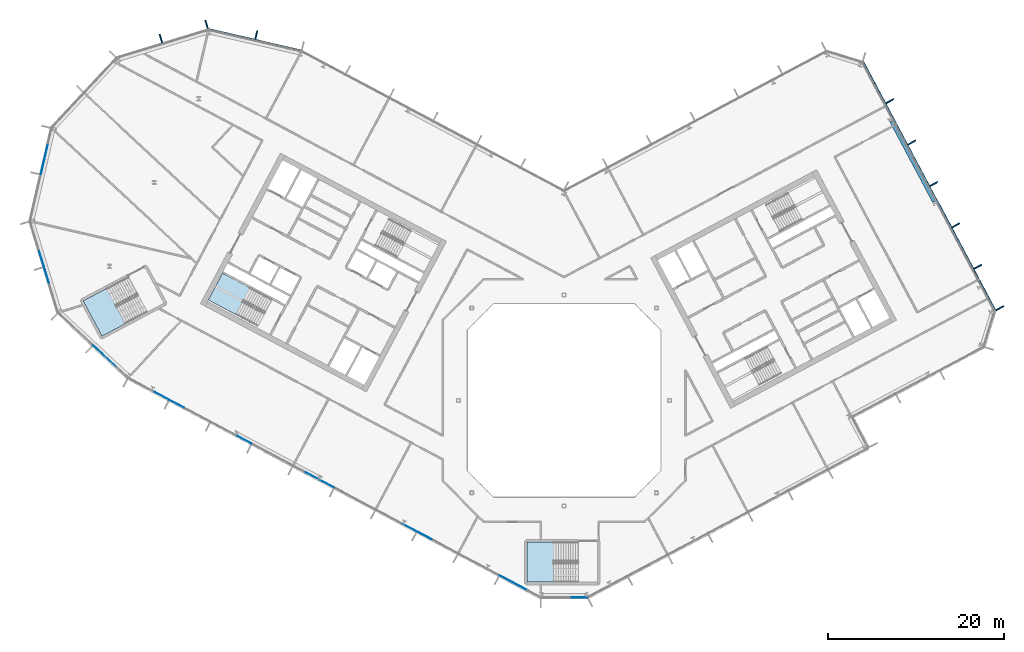
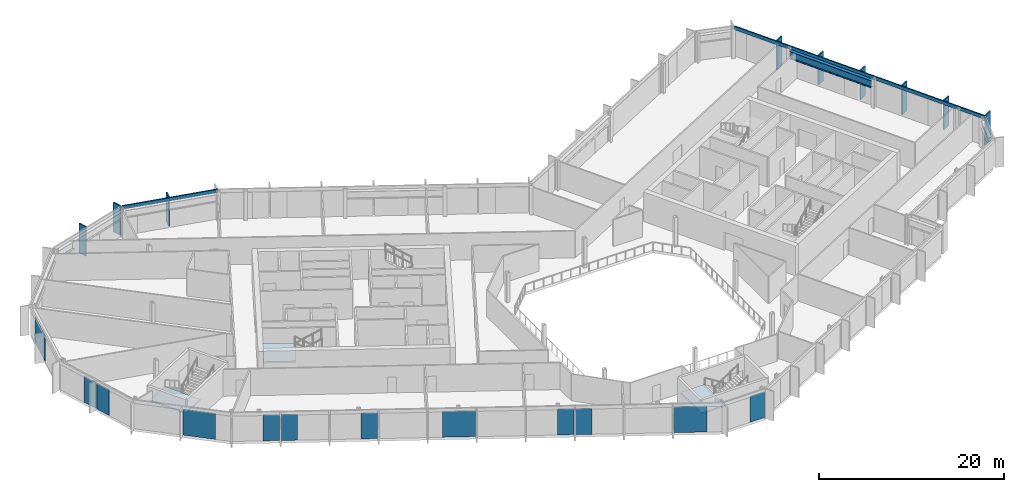
# One storey, part 10 of 27: 12 plates, 11 members, 3 slabs, 1 beam, 11 elements without a shape of their own.
"""IFC4 building model written with IfcOpenShell, lengths in metres."""

from ifc_helpers import new_model, si_unit, direction, frame, origin, origin_2d, place, context, subcontext, project, spatial, polyline, rectangle, i_section, outline, extrude, material, layer, layer_set, material_profile, profile_set, type_object, element, aggregate, save


model = new_model("IFC4")

# Units and contexts
model_context = context("Model", 3, precision=1e-05, world=origin(), true_north=direction((0.0, 1.0)))
body_context = subcontext(model_context, "Body", "Model", "MODEL_VIEW")
ifc_project = project(units=[si_unit("LENGTHUNIT", "METRE"), si_unit("AREAUNIT", "SQUARE_METRE"), si_unit("VOLUMEUNIT", "CUBIC_METRE"), si_unit("PLANEANGLEUNIT", "RADIAN"), si_unit("MASSUNIT", "GRAM", prefix="KILO")], contexts=[model_context])

# Site, building, storey
site_placement = place(None, origin())
site = spatial("IfcSite", under=ifc_project, at=site_placement, CompositionType="ELEMENT")
building_placement = place(site_placement, origin())
building = spatial("IfcBuilding", under=site, at=building_placement, Name="Cormorant Relay Tower", CompositionType="ELEMENT")
storey_placement = place(building_placement, frame((0.0, 0.0, 201.300048828125)))
storey = spatial("IfcBuildingStorey", under=building, at=storey_placement, Name="L43", CompositionType="ELEMENT", Elevation=201.300048828125)

# Curtain wall, members
ifc_material_1 = material(Name="Aluminium 6063-T6 anodised bronze", Category="aluminium")
ifc_layer_1 = layer(ifc_material_1, 0.199951171875)
ifc_layer_set_1 = layer_set([ifc_layer_1], Name="CW1 unitised bronze curtain wall with vertical fins")
curtain_wall_type = type_object("IfcCurtainWallType", Name="CW1 unitised bronze curtain wall with vertical fins", PredefinedType="NOTDEFINED", material=ifc_layer_set_1)
curtain_wall_1_placement = place(storey_placement, origin())
curtain_wall_1 = element("IfcCurtainWall", 1, at=curtain_wall_1_placement, inside=storey, type_object=curtain_wall_type, Name="CW1 curtain wall 6", PredefinedType="NOTDEFINED")
ifc_material_2 = material(Name="Aluminium 6063-T6 anodised bronze", Category="aluminium")
ifc_material_profile_1 = material_profile(ifc_material_2, rectangle(XDim=0.14990234375, YDim=1.0, at=origin_2d()), Name="AL 150x1000")
ifc_profile_set_1 = profile_set([ifc_material_profile_1], Name="Aluminium 6063-T6 anodised bronze")
member_type_1 = type_object("IfcMemberType", Name="CW1 bronze fin mullion 150 x 1000", PredefinedType="MULLION", material=ifc_profile_set_1)
member_1_placement = place(storey_placement, frame((49.572021484375, 10.501953125, 0.0), z_axis=(0.0, 0.0, 1.0), x_axis=(-0.469471562786, 0.882947592859, 0.0)))
member_1 = element("IfcMember", 2, at=member_1_placement, type_object=member_type_1, Name="CW1 fin 6.1", PredefinedType="MULLION", context=body_context, shape_type="SweptSolid", body=[
    extrude(rectangle(XDim=0.14990234375, YDim=1.0, at=origin_2d()), origin(), (0.0, 0.0, 1.0), 3.89990234375),
])
member_2_placement = place(storey_placement, frame((47.068359375, 15.211181640625, 0.0), z_axis=(0.0, 0.0, 1.0), x_axis=(-0.469471562786, 0.882947592859, 0.0)))
member_2 = element("IfcMember", 3, at=member_2_placement, type_object=member_type_1, Name="CW1 fin 6.2", PredefinedType="MULLION", context=body_context, shape_type="SweptSolid", body=[
    extrude(rectangle(XDim=0.14990234375, YDim=1.0, at=origin_2d()), origin(), (0.0, 0.0, 1.0), 3.89990234375),
])
member_3_placement = place(storey_placement, frame((44.564453125, 19.920166015625, 0.0), z_axis=(0.0, 0.0, 1.0), x_axis=(-0.469471562786, 0.882947592859, 0.0)))
member_3 = element("IfcMember", 4, at=member_3_placement, type_object=member_type_1, Name="CW1 fin 6.3", PredefinedType="MULLION", context=body_context, shape_type="SweptSolid", body=[
    extrude(rectangle(XDim=0.14990234375, YDim=1.0, at=origin_2d()), origin(), (0.0, 0.0, 1.0), 3.89990234375),
])
member_4_placement = place(storey_placement, frame((42.060546875, 24.629150390625, 0.0), z_axis=(0.0, 0.0, 1.0), x_axis=(-0.469471562786, 0.882947592859, 0.0)))
member_4 = element("IfcMember", 5, at=member_4_placement, type_object=member_type_1, Name="CW1 fin 6.4", PredefinedType="MULLION", context=body_context, shape_type="SweptSolid", body=[
    extrude(rectangle(XDim=0.14990234375, YDim=1.0, at=origin_2d()), origin(), (0.0, 0.0, 1.0), 3.89990234375),
])
member_5_placement = place(storey_placement, frame((39.556884765625, 29.338134765625, 0.0), z_axis=(0.0, 0.0, 1.0), x_axis=(-0.469471562786, 0.882947592859, 0.0)))
member_5 = element("IfcMember", 6, at=member_5_placement, type_object=member_type_1, Name="CW1 fin 6.5", PredefinedType="MULLION", context=body_context, shape_type="SweptSolid", body=[
    extrude(rectangle(XDim=0.14990234375, YDim=1.0, at=origin_2d()), origin(), (0.0, 0.0, 1.0), 3.89990234375),
])
member_6_placement = place(storey_placement, frame((37.052978515625, 34.04736328125, 0.0), z_axis=(0.0, 0.0, 1.0), x_axis=(-0.469471562786, 0.882947592859, 0.0)))
member_6 = element("IfcMember", 7, at=member_6_placement, type_object=member_type_1, Name="CW1 fin 6.6", PredefinedType="MULLION", context=body_context, shape_type="SweptSolid", body=[
    extrude(rectangle(XDim=0.14990234375, YDim=1.0, at=origin_2d()), origin(), (0.0, 0.0, 1.0), 3.89990234375),
])

# Curtain wall, member
curtain_wall_2_placement = place(storey_placement, origin())
curtain_wall_2 = element("IfcCurtainWall", 8, at=curtain_wall_2_placement, inside=storey, type_object=curtain_wall_type, Name="CW1 curtain wall 10", PredefinedType="NOTDEFINED")
member_7_placement = place(storey_placement, frame((-35.01220703125, 41.57275390625, 0.0), z_axis=(0.0, 0.0, 1.0), x_axis=(-0.974370064785, 0.224951054344, 0.0)))
member_7 = element("IfcMember", 9, at=member_7_placement, type_object=member_type_1, Name="CW1 fin 10.2", PredefinedType="MULLION", context=body_context, shape_type="SweptSolid", body=[
    extrude(rectangle(XDim=0.14990234375, YDim=1.0, at=origin_2d()), origin(), (0.0, 0.0, 1.0), 3.89990234375),
])

# Curtain wall, members
curtain_wall_3_placement = place(storey_placement, origin())
curtain_wall_3 = element("IfcCurtainWall", 10, at=curtain_wall_3_placement, inside=storey, type_object=curtain_wall_type, Name="CW1 curtain wall 11", PredefinedType="NOTDEFINED")
member_8_placement = place(storey_placement, frame((-40.670166015625, 42.78271484375, 0.0), z_axis=(0.0, 0.0, 1.0), x_axis=(-0.956304755963, -0.292371704723, 0.0)))
member_8 = element("IfcMember", 11, at=member_8_placement, type_object=member_type_1, Name="CW1 fin 11.1", PredefinedType="MULLION", context=body_context, shape_type="SweptSolid", body=[
    extrude(rectangle(XDim=0.14990234375, YDim=1.0, at=origin_2d()), origin(), (0.0, 0.0, 1.0), 3.89990234375),
])
member_9_placement = place(storey_placement, frame((-45.867919921875, 41.193603515625, 0.0), z_axis=(0.0, 0.0, 1.0), x_axis=(-0.956304755963, -0.292371704723, 0.0)))
member_9 = element("IfcMember", 12, at=member_9_placement, type_object=member_type_1, Name="CW1 fin 11.2", PredefinedType="MULLION", context=body_context, shape_type="SweptSolid", body=[
    extrude(rectangle(XDim=0.14990234375, YDim=1.0, at=origin_2d()), origin(), (0.0, 0.0, 1.0), 3.89990234375),
])
aggregate(curtain_wall_3, [member_8, member_9])

# Member
ifc_material_3 = material(Name="Aluminium 6063-T6 anodised bronze", Category="aluminium")
ifc_material_profile_2 = material_profile(ifc_material_3, rectangle(XDim=0.159912109375, YDim=0.449951171875, at=origin_2d()), Name="AL 160x450")
ifc_profile_set_2 = profile_set([ifc_material_profile_2], Name="Aluminium 6063-T6 anodised bronze")
member_type_2 = type_object("IfcMemberType", Name="CW1 bronze transom 160 x 450", PredefinedType="USERDEFINED", material=ifc_profile_set_2)
member_10_placement = place(storey_placement, frame((49.06005859375, 10.229736328125, 3.675048828125), z_axis=(-0.46947036835, 0.882948227951, 0.0), x_axis=(-0.882948227951, -0.46947036835, 0.0)))
member_10 = element("IfcMember", 13, at=member_10_placement, type_object=member_type_2, Name="CW1 transom 6", ObjectType="TRANSOM", PredefinedType="USERDEFINED", context=body_context, shape_type="SweptSolid", body=[
    extrude(rectangle(XDim=0.159912109375, YDim=0.449951171875, at=origin_2d()), origin(), (0.0, 0.0, 1.0), 31.999755859375),
])

aggregate(curtain_wall_1, [member_1, member_2, member_3, member_4, member_5, member_6, member_10])

member_11_placement = place(storey_placement, frame((-29.8466796875, 39.784912109375, 3.675048828125), z_axis=(-0.974365070969, 0.224972683844, 0.0), x_axis=(-0.224972683844, -0.974365070969, 0.0)))
member_11 = element("IfcMember", 14, at=member_11_placement, type_object=member_type_2, Name="CW1 transom 10", ObjectType="TRANSOM", PredefinedType="USERDEFINED", context=body_context, shape_type="SweptSolid", body=[
    extrude(rectangle(XDim=0.159912109375, YDim=0.449951171875, at=origin_2d()), origin(), (0.0, 0.0, 1.0), 10.870361328125),
])

aggregate(curtain_wall_2, [member_7, member_11])

# Beam
ifc_material_4 = material(Name="Steel ASTM A992 (Fy 345 MPa)", Category="steel")
ifc_material_profile_3 = material_profile(ifc_material_4, i_section(OverallWidth=0.4013671875, OverallDepth=0.990478515625, WebThickness=0.0166015625, FlangeThickness=0.031005859375, FilletRadius=0.030029296875, at=origin_2d()), Name="W1000x320")
ifc_profile_set_3 = profile_set([ifc_material_profile_3], Name="Steel ASTM A992 (Fy 345 MPa)")
beam_type = type_object("IfcBeamType", Name="Spandrel W1000x320", PredefinedType="SPANDREL", material=ifc_profile_set_3)
beam_placement = place(storey_placement, frame((42.109619140625, 22.61865234375, 3.044677734375), z_axis=(-0.469476269233, 0.882945090381, 0.0), x_axis=(-0.882945090381, -0.469476269233, 0.0)))
element("IfcBeam", 15, at=beam_placement, inside=storey, type_object=beam_type, Name="Spandrel beam L43-006", PredefinedType="SPANDREL", context=body_context, shape_type="SweptSolid", body=[
    extrude(i_section(OverallWidth=0.4013671875, OverallDepth=0.990478515625, WebThickness=0.0166015625, FlangeThickness=0.031005859375, FilletRadius=0.030029296875, at=origin_2d()), origin(), (0.0, 0.0, 1.0), 10.396484375),
])

# Curtain wall, plate
curtain_wall_4_placement = place(storey_placement, origin())
curtain_wall_4 = element("IfcCurtainWall", 16, at=curtain_wall_4_placement, inside=storey, type_object=curtain_wall_type, Name="CW1 curtain wall 1", PredefinedType="NOTDEFINED")
ifc_material_5 = material(Name="Tinted laminated glass", Category="glass")
ifc_layer_2 = layer(ifc_material_5, 0.0400390625)
ifc_layer_set_2 = layer_set([ifc_layer_2], Name="CW1 tinted vision panel 1800 module")
plate_type_1 = type_object("IfcPlateType", Name="CW1 tinted vision panel 1800 module", PredefinedType="CURTAIN_PANEL", material=ifc_layer_set_2)
plate_1_placement = place(storey_placement, frame((1.748779296875, -22.3955078125, 0.0), z_axis=(0.0, 0.0, 1.0), x_axis=(1.0, 0.0, 0.0)))
plate_1 = element("IfcPlate", 17, at=plate_1_placement, type_object=plate_type_1, Name="CW1 panel V01", PredefinedType="CURTAIN_PANEL", context=body_context, shape_type="SweptSolid", body=[
    extrude(rectangle(XDim=1.800048828125, YDim=0.0400390625, at=origin_2d()), origin(), (0.0, 0.0, 1.0), 3.449951171875),
])
aggregate(curtain_wall_4, [plate_1])

# Curtain wall, plates
curtain_wall_5_placement = place(storey_placement, origin())
curtain_wall_5 = element("IfcCurtainWall", 18, at=curtain_wall_5_placement, inside=storey, type_object=curtain_wall_type, Name="CW1 curtain wall 14", PredefinedType="NOTDEFINED")
plate_2_placement = place(storey_placement, frame((-59.434814453125, 16.122314453125, 0.0), z_axis=(0.0, 0.0, 1.0), x_axis=(0.292371704723, -0.956304755963, 0.0)))
plate_2 = element("IfcPlate", 19, at=plate_2_placement, type_object=plate_type_1, Name="CW1 panel V01", PredefinedType="CURTAIN_PANEL", context=body_context, shape_type="SweptSolid", body=[
    extrude(rectangle(XDim=1.800048828125, YDim=0.0400390625, at=origin_2d()), origin(), (0.0, 0.0, 1.0), 3.449951171875),
])
plate_3_placement = place(storey_placement, frame((-58.86474609375, 14.25732421875, 0.0), z_axis=(0.0, 0.0, 1.0), x_axis=(0.292371704723, -0.956304755963, 0.0)))
plate_3 = element("IfcPlate", 20, at=plate_3_placement, type_object=plate_type_1, Name="CW1 panel V02", PredefinedType="CURTAIN_PANEL", context=body_context, shape_type="SweptSolid", body=[
    extrude(rectangle(XDim=1.800048828125, YDim=0.0400390625, at=origin_2d()), origin(), (0.0, 0.0, 1.0), 3.449951171875),
])
aggregate(curtain_wall_5, [plate_2, plate_3])

curtain_wall_6_placement = place(storey_placement, origin())
curtain_wall_6 = element("IfcCurtainWall", 21, at=curtain_wall_6_placement, inside=storey, type_object=curtain_wall_type, Name="CW1 curtain wall 16", PredefinedType="NOTDEFINED")
plate_4_placement = place(storey_placement, frame((-45.767578125, 0.5283203125, 0.0), z_axis=(0.0, 0.0, 1.0), x_axis=(0.882947592859, -0.469471562786, 0.0)))
plate_4 = element("IfcPlate", 22, at=plate_4_placement, type_object=plate_type_1, Name="CW1 panel V01", PredefinedType="CURTAIN_PANEL", context=body_context, shape_type="SweptSolid", body=[
    extrude(rectangle(XDim=1.800048828125, YDim=0.0400390625, at=origin_2d()), origin(), (0.0, 0.0, 1.0), 3.449951171875),
])
plate_5_placement = place(storey_placement, frame((-44.0458984375, -0.38720703125, 0.0), z_axis=(0.0, 0.0, 1.0), x_axis=(0.882947592859, -0.469471562786, 0.0)))
plate_5 = element("IfcPlate", 23, at=plate_5_placement, type_object=plate_type_1, Name="CW1 panel V02", PredefinedType="CURTAIN_PANEL", context=body_context, shape_type="SweptSolid", body=[
    extrude(rectangle(XDim=1.800048828125, YDim=0.0400390625, at=origin_2d()), origin(), (0.0, 0.0, 1.0), 3.449951171875),
])
plate_6_placement = place(storey_placement, frame((-36.37890625, -4.463623046875, 0.0), z_axis=(0.0, 0.0, 1.0), x_axis=(0.882947592859, -0.469471562786, 0.0)))
plate_6 = element("IfcPlate", 24, at=plate_6_placement, type_object=plate_type_1, Name="CW1 panel V04", PredefinedType="CURTAIN_PANEL", context=body_context, shape_type="SweptSolid", body=[
    extrude(rectangle(XDim=1.800048828125, YDim=0.0400390625, at=origin_2d()), origin(), (0.0, 0.0, 1.0), 3.449951171875),
])
plate_7_placement = place(storey_placement, frame((-17.601806640625, -14.447509765625, 0.0), z_axis=(0.0, 0.0, 1.0), x_axis=(0.882947592859, -0.469471562786, 0.0)))
plate_7 = element("IfcPlate", 25, at=plate_7_placement, type_object=plate_type_1, Name="CW1 panel V08", PredefinedType="CURTAIN_PANEL", context=body_context, shape_type="SweptSolid", body=[
    extrude(rectangle(XDim=1.800048828125, YDim=0.0400390625, at=origin_2d()), origin(), (0.0, 0.0, 1.0), 3.449951171875),
])
plate_8_placement = place(storey_placement, frame((-15.880126953125, -15.363037109375, 0.0), z_axis=(0.0, 0.0, 1.0), x_axis=(0.882947592859, -0.469471562786, 0.0)))
plate_8 = element("IfcPlate", 26, at=plate_8_placement, type_object=plate_type_1, Name="CW1 panel V09", PredefinedType="CURTAIN_PANEL", context=body_context, shape_type="SweptSolid", body=[
    extrude(rectangle(XDim=1.800048828125, YDim=0.0400390625, at=origin_2d()), origin(), (0.0, 0.0, 1.0), 3.449951171875),
])

# Curtain wall, plate
curtain_wall_7_placement = place(storey_placement, origin())
curtain_wall_7 = element("IfcCurtainWall", 27, at=curtain_wall_7_placement, inside=storey, type_object=curtain_wall_type, Name="CW1 curtain wall 13", PredefinedType="NOTDEFINED")
ifc_material_6 = material(Name="Tinted laminated glass", Category="glass")
ifc_layer_3 = layer(ifc_material_6, 0.0400390625)
ifc_layer_set_3 = layer_set([ifc_layer_3], Name="CW1 tinted vision panel 3600 module")
plate_type_2 = type_object("IfcPlateType", Name="CW1 tinted vision panel 3600 module", PredefinedType="CURTAIN_PANEL", material=ifc_layer_set_3)
plate_9_placement = place(storey_placement, frame((-59.094970703125, 27.520751953125, 0.0), z_axis=(0.0, 0.0, 1.0), x_axis=(-0.224951054344, -0.974370064785, 0.0)))
plate_9 = element("IfcPlate", 28, at=plate_9_placement, type_object=plate_type_2, Name="CW1 panel V01", PredefinedType="CURTAIN_PANEL", context=body_context, shape_type="SweptSolid", body=[
    extrude(rectangle(XDim=3.60009765625, YDim=0.0400390625, at=origin_2d()), origin(), (0.0, 0.0, 1.0), 3.449951171875),
])
aggregate(curtain_wall_7, [plate_9])

curtain_wall_8_placement = place(storey_placement, origin())
curtain_wall_8 = element("IfcCurtainWall", 29, at=curtain_wall_8_placement, inside=storey, type_object=curtain_wall_type, Name="CW1 curtain wall 15", PredefinedType="NOTDEFINED")
plate_10_placement = place(storey_placement, frame((-52.208984375, 4.997802734375, 0.0), z_axis=(0.0, 0.0, 1.0), x_axis=(0.731353701619, -0.681998360062, 0.0)))
plate_10 = element("IfcPlate", 30, at=plate_10_placement, type_object=plate_type_2, Name="CW1 panel V01", PredefinedType="CURTAIN_PANEL", context=body_context, shape_type="SweptSolid", body=[
    extrude(rectangle(XDim=3.60009765625, YDim=0.0400390625, at=origin_2d()), origin(), (0.0, 0.0, 1.0), 3.449951171875),
])
aggregate(curtain_wall_8, [plate_10])

# Plate
plate_11_placement = place(storey_placement, frame((-27.78515625, -9.032958984375, 0.0), z_axis=(0.0, 0.0, 1.0), x_axis=(0.882947592859, -0.469471562786, 0.0)))
plate_11 = element("IfcPlate", 31, at=plate_11_placement, type_object=plate_type_2, Name="CW1 panel V06", PredefinedType="CURTAIN_PANEL", context=body_context, shape_type="SweptSolid", body=[
    extrude(rectangle(XDim=3.60009765625, YDim=0.0400390625, at=origin_2d()), origin(), (0.0, 0.0, 1.0), 3.449951171875),
])

plate_12_placement = place(storey_placement, frame((-5.697021484375, -20.777587890625, 0.0), z_axis=(0.0, 0.0, 1.0), x_axis=(0.882947592859, -0.469471562786, 0.0)))
plate_12 = element("IfcPlate", 32, at=plate_12_placement, type_object=plate_type_2, Name="CW1 panel V11", PredefinedType="CURTAIN_PANEL", context=body_context, shape_type="SweptSolid", body=[
    extrude(rectangle(XDim=3.60009765625, YDim=0.0400390625, at=origin_2d()), origin(), (0.0, 0.0, 1.0), 3.449951171875),
])

aggregate(curtain_wall_6, [plate_4, plate_5, plate_6, plate_11, plate_7, plate_8, plate_12])

# Stair, slab
ifc_material_7 = material(Name="Concrete 40 MPa", Category="concrete")
stair_type_1 = type_object("IfcStairType", Name="Exit stair 1500", PredefinedType="HALF_TURN_STAIR", material=ifc_material_7)
stair_1_placement = place(storey_placement, origin())
stair_1 = element("IfcStair", 33, at=stair_1_placement, inside=storey, type_object=stair_type_1, Name="L43 Stair", PredefinedType="HALF_TURN_STAIR")
ifc_material_8 = material(Name="Concrete 40 MPa", Category="concrete")
ifc_layer_4 = layer(ifc_material_8, 0.199951171875)
ifc_layer_set_4 = layer_set([ifc_layer_4], Name="Exit stair landing 200")
slab_type = type_object("IfcSlabType", Name="Exit stair landing 200", PredefinedType="LANDING", material=ifc_layer_set_4)
slab_1_placement = place(storey_placement, frame((0.0, 0.0, 1.75)))
slab_1 = element("IfcSlab", 34, at=slab_1_placement, type_object=slab_type, Name="A2 landing 1", PredefinedType="LANDING", context=body_context, shape_type="SweptSolid", body=[
    extrude(outline(polyline([(-35.71337890625, 12.816650390625), (-38.84765625, 14.483154296875), (-40.467529296875, 11.43701171875), (-37.3330078125, 9.7705078125), (-35.71337890625, 12.816650390625)])), origin(), (0.0, 0.0, 1.0), 0.199951171875),
])
aggregate(stair_1, [slab_1])

ifc_material_9 = material(Name="Concrete 40 MPa", Category="concrete")
stair_type_2 = type_object("IfcStairType", Name="Remote exit stair 2200", PredefinedType="HALF_TURN_STAIR", material=ifc_material_9)
stair_2_placement = place(storey_placement, origin())
stair_2 = element("IfcStair", 35, at=stair_2_placement, inside=storey, type_object=stair_type_2, Name="L43 Stair", PredefinedType="HALF_TURN_STAIR")
slab_2_placement = place(storey_placement, frame((0.0, 0.0, 1.75)))
slab_2 = element("IfcSlab", 36, at=slab_2_placement, type_object=slab_type, Name="RK1 landing 1", PredefinedType="LANDING", context=body_context, shape_type="SweptSolid", body=[
    extrude(outline(polyline([(-1.199951171875, -16.125), (-4.199951171875, -16.125), (-4.199951171875, -20.675048828125), (-1.199951171875, -20.675048828125), (-1.199951171875, -16.125)])), origin(), (0.0, 0.0, 1.0), 0.199951171875),
])
aggregate(stair_2, [slab_2])

stair_3_placement = place(storey_placement, origin())
stair_3 = element("IfcStair", 37, at=stair_3_placement, inside=storey, type_object=stair_type_2, Name="L43 Stair", PredefinedType="HALF_TURN_STAIR")
slab_3_placement = place(storey_placement, frame((0.0, 0.0, 1.75)))
slab_3 = element("IfcSlab", 38, at=slab_3_placement, type_object=slab_type, Name="RP1 landing 1", PredefinedType="LANDING", context=body_context, shape_type="SweptSolid", body=[
    extrude(outline(polyline([(-52.051025390625, 12.7392578125), (-54.699951171875, 11.330810546875), (-52.563720703125, 7.3134765625), (-49.914794921875, 8.721923828125), (-52.051025390625, 12.7392578125)])), origin(), (0.0, 0.0, 1.0), 0.199951171875),
])
aggregate(stair_3, [slab_3])

save(model, "model.ifc")
